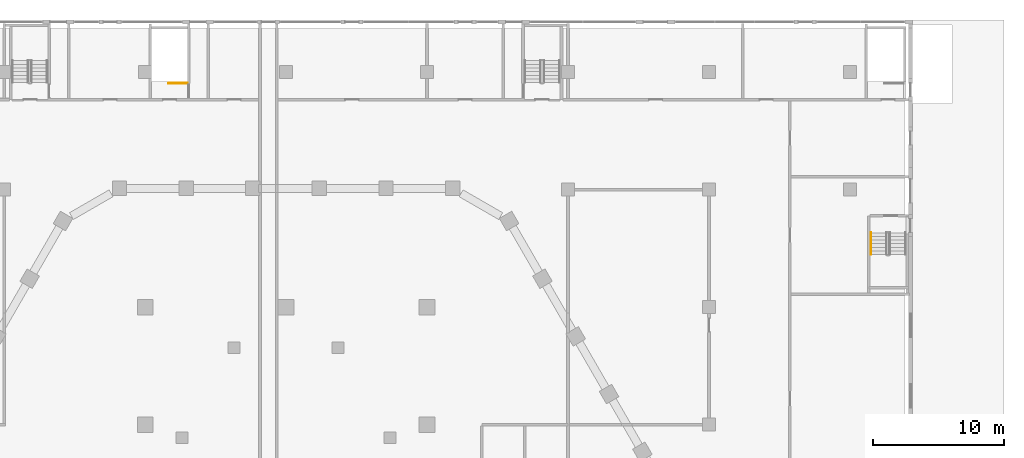
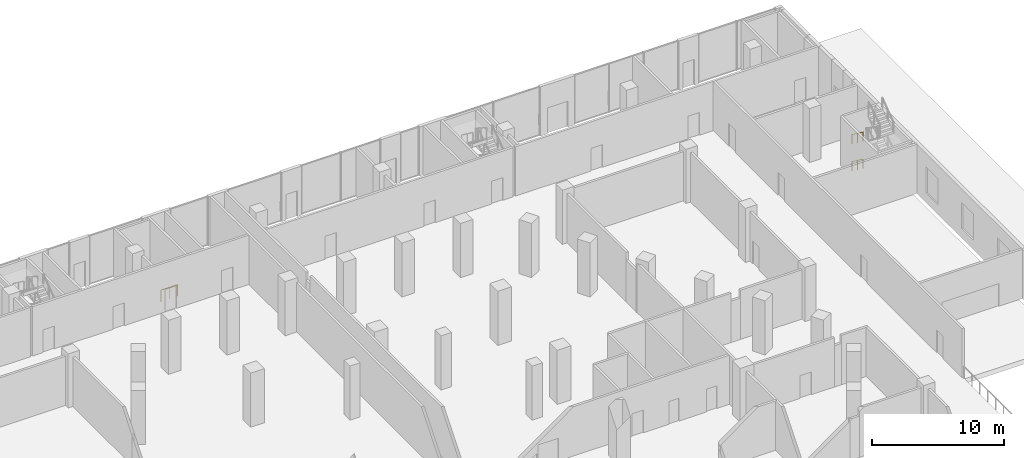
# One storey, part 54 of 57: 3 railings.
"""IFC4 building model written with IfcOpenShell, lengths in metres."""

import ifcopenshell
import ifcopenshell.guid

model = None  # the IFC model being written
_history = None  # IfcOwnerHistory: only IFC2X3 demands one
_inside = {}  # id of a spatial element -> (the spatial element, [elements in it])
_under = {}  # id of a project, library or spatial element -> (it, [spatial elements below it])
_declared = {}  # id of a project -> (the project, [libraries it declares])
_typed = {}  # id of a type object -> (the type object, [elements of that type])
_made_of = {}  # id of a material, layer set ... -> (it, [elements and type objects made of it])


def new_model(schema):
    """Start an empty IFC model of exactly this schema.

    Asked for "IFC4X3", IfcOpenShell would pick the latest addendum, in which some entities
    have other attributes; the version numbers below select the first issue.
    IFC2X3 requires an IfcOwnerHistory on every rooted entity: one is made here for all.
    """
    global model, _history
    if schema == "IFC4X3":
        model = ifcopenshell.file(schema_version=(4, 3, 0, 0))
    else:
        model = ifcopenshell.file(schema=schema)
    _inside.clear()
    _under.clear()
    _declared.clear()
    _typed.clear()
    _made_of.clear()
    _history = None
    if model.schema == "IFC2X3":
        org = make("IfcOrganization", Name="unknown")
        user = make(
            "IfcPersonAndOrganization",
            ThePerson=make("IfcPerson", FamilyName="unknown"),
            TheOrganization=org,
        )
        app = make(
            "IfcApplication",
            ApplicationDeveloper=org,
            Version="unknown",
            ApplicationFullName="unknown",
            ApplicationIdentifier="unknown",
        )
        _history = make(
            "IfcOwnerHistory",
            OwningUser=user,
            OwningApplication=app,
            ChangeAction="ADDED",
            CreationDate=0,
        )
    return model


def make(cls, **values):
    """One entity of the class cls with the attributes given. An attribute that is None is left unset."""
    return model.create_entity(
        cls, **{name: value for name, value in values.items() if value is not None}
    )


def rooted(cls, **values):
    """An entity with a GlobalId (a new one), such as an element, a storey or a relation."""
    return make(cls, GlobalId=ifcopenshell.guid.new(), OwnerHistory=_history, **values)


def si_unit(unit_type, name, prefix=None):
    """IfcSIUnit, for example si_unit("LENGTHUNIT", "METRE", prefix="MILLI")."""
    return make("IfcSIUnit", UnitType=unit_type, Prefix=prefix, Name=name)


def assignment(units):
    """IfcUnitAssignment: the units of a project."""
    return None if units is None else make("IfcUnitAssignment", Units=units)


def point(xyz):
    """IfcCartesianPoint."""
    return None if xyz is None else make("IfcCartesianPoint", Coordinates=xyz)


def direction(xyz):
    """IfcDirection."""
    return None if xyz is None else make("IfcDirection", DirectionRatios=xyz)


def frame(location, z_axis=None, x_axis=None):
    """IfcAxis2Placement3D, a coordinate frame: its origin and axes. An axis left out is left unset."""
    return make(
        "IfcAxis2Placement3D",
        Location=point(location),
        Axis=direction(z_axis),
        RefDirection=direction(x_axis),
    )


def frame_2d(location, x_axis=None):
    """IfcAxis2Placement2D, a coordinate frame in the plane: its origin and x axis."""
    return make(
        "IfcAxis2Placement2D", Location=point(location), RefDirection=direction(x_axis)
    )


def origin():
    """The frame at (0, 0, 0) with its axes left unset."""
    return frame((0.0, 0.0, 0.0))


def origin_2d():
    """The frame at (0, 0) in the plane with its x axis left unset."""
    return frame_2d((0.0, 0.0))


def place(relative_to, where):
    """IfcLocalPlacement: puts the frame where relative to a parent placement (None: the world)."""
    return make(
        "IfcLocalPlacement", PlacementRelTo=relative_to, RelativePlacement=where
    )


def context(
    kind, dimensions, precision=None, world=None, true_north=None, identifier=None
):
    """IfcGeometricRepresentationContext, for example the 3D "Model" context."""
    return make(
        "IfcGeometricRepresentationContext",
        ContextIdentifier=identifier,
        ContextType=kind,
        CoordinateSpaceDimension=dimensions,
        Precision=precision,
        WorldCoordinateSystem=world,
        TrueNorth=true_north,
    )


def subcontext(parent, identifier, kind, view, scale=None):
    """IfcGeometricRepresentationSubContext, for example "Body" below "Model"."""
    return make(
        "IfcGeometricRepresentationSubContext",
        ContextIdentifier=identifier,
        ContextType=kind,
        ParentContext=parent,
        TargetScale=scale,
        TargetView=view,
    )


def project(units=None, contexts=None):
    """IfcProject with its units and contexts."""
    return rooted(
        "IfcProject",
        Name="project",
        RepresentationContexts=contexts,
        UnitsInContext=assignment(units),
    )


def spatial(cls, under=None, at=None, **own):
    """A site, building, storey or space (cls), placed at a placement, below another one or the project."""
    s = rooted(cls, ObjectPlacement=at, **own)
    if under is not None:
        _under.setdefault(under.id(), (under, []))[1].append(s)
    return s


def profile(cls, at=None, kind="AREA", **sizes):
    """A parametric profile (cls). Its sizes go by their IFC names, for example OverallWidth=200.0."""
    return make(cls, ProfileType=kind, Position=at, **sizes)


def rectangle(**sizes):
    """IfcRectangleProfileDef."""
    return profile("IfcRectangleProfileDef", **sizes)


def extrude(swept, where, along, depth):
    """IfcExtrudedAreaSolid: the profile swept, set in the frame where, extruded along a direction by depth."""
    return make(
        "IfcExtrudedAreaSolid",
        SweptArea=swept,
        Position=where,
        ExtrudedDirection=direction(along),
        Depth=depth,
    )


def shape(context_of_items, identifier, shape_type, items):
    """IfcShapeRepresentation: the items that make up one representation, for example the "Body"."""
    return make(
        "IfcShapeRepresentation",
        ContextOfItems=context_of_items,
        RepresentationIdentifier=identifier,
        RepresentationType=shape_type,
        Items=items,
    )


def material(Name=None, Category=None):
    """IfcMaterial."""
    return make("IfcMaterial", Name=Name, Category=Category)


def made_of(thing, what):
    """Note that an element or type object is made of a material, layer set ...; save() writes the relation."""
    if what is not None:
        _made_of.setdefault(what.id(), (what, []))[1].append(thing)
    return thing


def type_object(cls, material=None, **own):
    """A type object (cls), such as IfcWallType, which elements share."""
    return made_of(rooted(cls, **own), material)


def element(
    cls,
    number,
    at=None,
    inside=None,
    cuts=None,
    type_object=None,
    material=None,
    context=None,
    identifier="Body",
    shape_type=None,
    held_by="IfcProductDefinitionShape",
    body=None,
    shapes=None,
    **own,
):
    """One element of the class cls, such as IfcWall. Its Tag is "e" and its number.

    at: its placement. inside: the storey or other place that contains it. cuts: it is an
    opening in that element (IfcRelVoidsElement). A single representation is given by context,
    identifier, shape_type and body (its items); several are given by shapes. held_by: the class
    of the entity that holds the representations. save() writes the other relations.
    """
    e = rooted(cls, Tag="e%d" % number, ObjectPlacement=at, **own)
    if body is not None:
        shapes = [shape(context, identifier, shape_type, body)]
    if shapes is not None:
        e.Representation = make(held_by, Representations=shapes)
    if inside is not None:
        _inside.setdefault(inside.id(), (inside, []))[1].append(e)
    if cuts is not None:
        rooted(
            "IfcRelVoidsElement", RelatingBuildingElement=cuts, RelatedOpeningElement=e
        )
    if type_object is not None:
        _typed.setdefault(type_object.id(), (type_object, []))[1].append(e)
    return made_of(e, material)


def aggregate(whole, parts):
    """IfcRelAggregates: a whole, such as a stair, and the parts it consists of."""
    return rooted("IfcRelAggregates", RelatingObject=whole, RelatedObjects=parts)


def save(model, path):
    """Write the relations noted so far, then the file.

    IfcRelAggregates (storeys below a building ...), IfcRelContainedInSpatialStructure (elements
    in a storey), IfcRelDefinesByType, IfcRelAssociatesMaterial and IfcRelDeclares: one each for
    every whole, place, type object, material and project.
    """
    for whole, parts in _under.values():
        aggregate(whole, parts)
    for where, things in _inside.values():
        rooted(
            "IfcRelContainedInSpatialStructure",
            RelatedElements=things,
            RelatingStructure=where,
        )
    for kind, things in _typed.values():
        rooted("IfcRelDefinesByType", RelatedObjects=things, RelatingType=kind)
    for what, things in _made_of.values():
        rooted("IfcRelAssociatesMaterial", RelatedObjects=things, RelatingMaterial=what)
    for by, libraries in _declared.values():
        rooted("IfcRelDeclares", RelatingContext=by, RelatedDefinitions=libraries)
    model.write(path)


model = new_model("IFC4")

# Units and contexts
model_context = context("Model", 3, precision=1e-05, world=origin(), true_north=direction((0.0, 1.0)))
body_context = subcontext(model_context, "Body", "Model", "MODEL_VIEW")
ifc_project = project(units=[si_unit("LENGTHUNIT", "METRE"), si_unit("AREAUNIT", "SQUARE_METRE"), si_unit("VOLUMEUNIT", "CUBIC_METRE"), si_unit("PLANEANGLEUNIT", "RADIAN"), si_unit("MASSUNIT", "GRAM", prefix="KILO")], contexts=[model_context])

# Site, building, storey
site_placement = place(None, origin())
site = spatial("IfcSite", under=ifc_project, at=site_placement, CompositionType="ELEMENT")
building_placement = place(site_placement, origin())
building = spatial("IfcBuilding", under=site, at=building_placement, Name="Beryl Residences", CompositionType="ELEMENT")
storey_placement = place(building_placement, origin())
storey = spatial("IfcBuildingStorey", under=building, at=storey_placement, Name="L00", CompositionType="ELEMENT", Elevation=0.0)

# Railings
ifc_material_1 = material(Name="Stainless steel balustrade with glass infill", Category="steel")
railing_type_1 = type_object("IfcRailingType", Name="SG1 stair guard 1100 mm", PredefinedType="GUARDRAIL", material=ifc_material_1)
railing_placement = place(storey_placement, frame((-7.550048828125, 35.14990234375, 0.0)))
element("IfcRailing", 1, at=railing_placement, inside=storey, type_object=railing_type_1, Name="L00 BS-2 top well guard 1", PredefinedType="GUARDRAIL", context=body_context, shape_type="SweptSolid", body=[
    extrude(rectangle(XDim=0.048095703125, YDim=0.048095703125, at=origin_2d()), frame((0.0, 0.0, 1.076171875), z_axis=(-1.0, 0.0, 0.0), x_axis=(0.0, -1.0, 0.0)), (0.0, 0.0, 1.0), 1.449951171875),
    extrude(rectangle(XDim=0.0419921875, YDim=0.0419921875, at=origin_2d()), origin(), (0.0, 0.0, 1.0), 1.052001953125),
    extrude(rectangle(XDim=0.0419921875, YDim=0.0419921875, at=origin_2d()), frame((-0.72509765625, 0.0, 0.0)), (0.0, 0.0, 1.0), 1.052001953125),
    extrude(rectangle(XDim=0.0419921875, YDim=0.0419921875, at=origin_2d()), frame((-1.449951171875, 0.0, 0.0)), (0.0, 0.0, 1.0), 1.052001953125),
])
ifc_material_2 = material(Name="Stainless steel handrail", Category="steel")
railing_type_2 = type_object("IfcRailingType", Name="SRL1 stair handrail 900 mm", PredefinedType="HANDRAIL", material=ifc_material_2)
for number, where, name in (
    (2, (44.800048828125, 23.699951171875, 0.178466796875), "L00 PS-5 stair handrail 1"),
    (3, (44.800048828125, 23.699951171875, 2.678466796875), "L00 PS-5 stair handrail 3"),
):
    element("IfcRailing", number, at=place(storey_placement, frame(where)), inside=storey, type_object=railing_type_2, Name=name, PredefinedType="HANDRAIL", context=body_context, shape_type="SweptSolid", body=[
        extrude(rectangle(XDim=0.048095703125, YDim=0.048095703125, at=origin_2d()), frame((0.0, 0.0, 0.8759765625), z_axis=(0.0, -0.802274775538, 0.59695492672), x_axis=(1.0, 0.0, 0.0)), (0.0, 0.0, 1.0), 2.093994140625),
        extrude(rectangle(XDim=0.0419921875, YDim=0.0419921875, at=origin_2d()), origin(), (0.0, 0.0, 1.0), 0.851806640625),
        extrude(rectangle(XDim=0.0419921875, YDim=0.0419921875, at=origin_2d()), frame((0.0, -0.83984375, 0.625)), (0.0, 0.0, 1.0), 0.851806640625),
        extrude(rectangle(XDim=0.0419921875, YDim=0.0419921875, at=origin_2d()), frame((0.0, -1.679931640625, 1.25)), (0.0, 0.0, 1.0), 0.851806640625),
    ])

save(model, "model.ifc")
